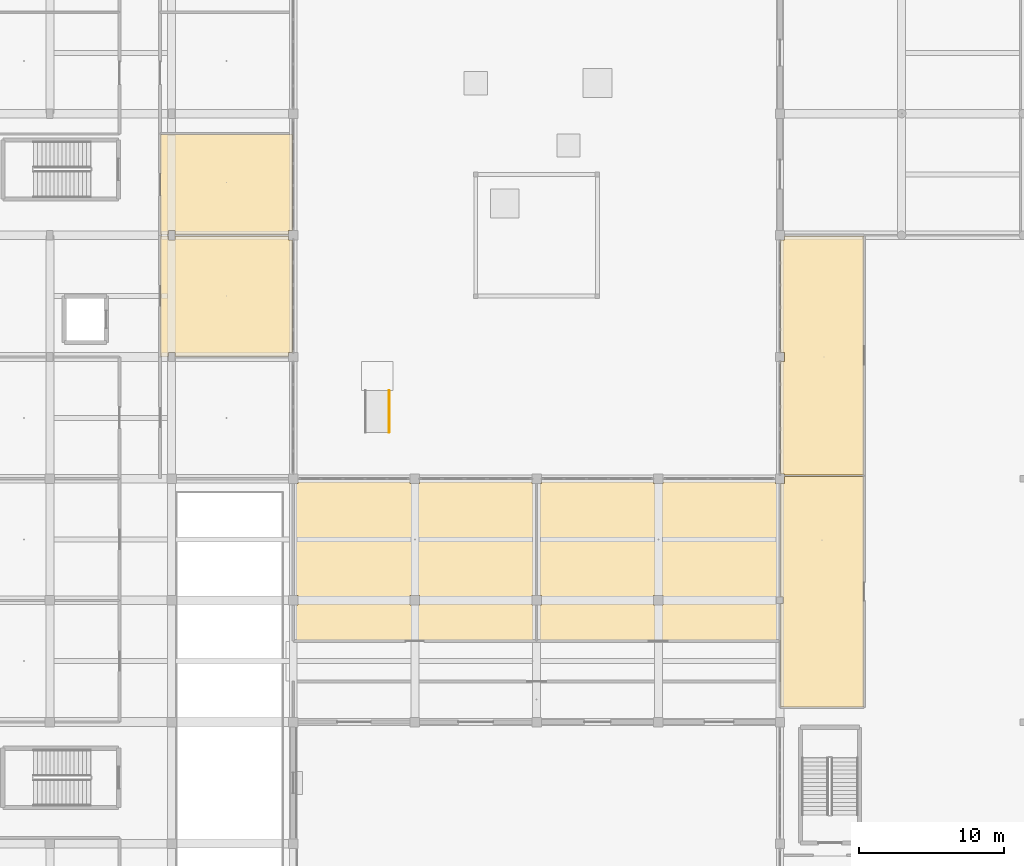
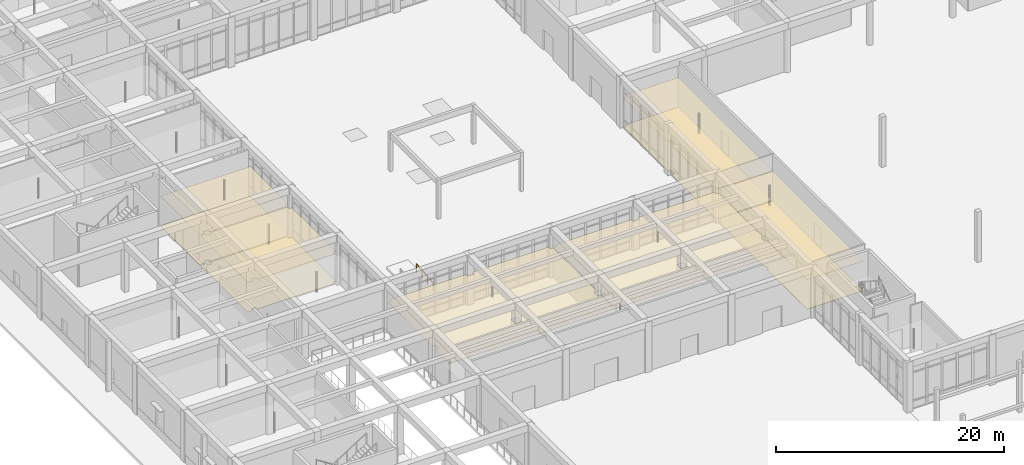
# One storey, part 143 of 167: 10 coverings, 1 railing.
"""IFC4 building model written with IfcOpenShell, lengths in metres."""

from ifc_helpers import new_model, si_unit, direction, frame, origin, origin_2d, place, context, subcontext, project, spatial, polyline, circle, outline, extrude, material, layer, layer_set, type_object, element, save


model = new_model("IFC4")

# Units and contexts
model_context = context("Model", 3, precision=1e-05, world=origin(), true_north=direction((0.0, 1.0)))
body_context = subcontext(model_context, "Body", "Model", "MODEL_VIEW")
ifc_project = project(units=[si_unit("LENGTHUNIT", "METRE"), si_unit("AREAUNIT", "SQUARE_METRE"), si_unit("VOLUMEUNIT", "CUBIC_METRE"), si_unit("PLANEANGLEUNIT", "RADIAN"), si_unit("MASSUNIT", "GRAM", prefix="KILO")], contexts=[model_context])

# Site, building, storey
site_placement = place(None, origin())
site = spatial("IfcSite", under=ifc_project, at=site_placement, CompositionType="ELEMENT")
building_placement = place(site_placement, origin())
building = spatial("IfcBuilding", under=site, at=building_placement, Name="Varncliffe General Hospital", CompositionType="ELEMENT")
storey_placement = place(building_placement, origin())
storey = spatial("IfcBuildingStorey", under=building, at=storey_placement, Name="L00", CompositionType="ELEMENT", Elevation=0.0)

# Coverings
ifc_material_1 = material(Name="Hygienic antimicrobial acoustic suspended ceiling tile", Category="gypsum")
ifc_layer_1 = layer(ifc_material_1, 0.02490234375)
ifc_layer_set_1 = layer_set([ifc_layer_1], Name="Hygienic antimicrobial acoustic suspended ceiling tile")
covering_type_1 = type_object("IfcCoveringType", Name="Antimicrobial Acoustic Suspended Ceiling CLG44", PredefinedType="CEILING", material=ifc_layer_set_1)
covering_1_placement = place(storey_placement, frame((0.0, 0.0, 3.175048828125)))
element("IfcCovering", 1, at=covering_1_placement, inside=storey, type_object=covering_type_1, Name="L00 Patient Admissions and Registration Suite Suspended Ceiling", PredefinedType="CEILING", context=body_context, shape_type="SweptSolid", body=[
    extrude(outline(polyline([(64.56005859375, 40.9599609375), (64.56005859375, 25.0400390625), (58.840087890625, 25.0400390625), (58.840087890625, 32.175048828125), (59.02490234375, 32.175048828125), (59.02490234375, 32.625), (58.840087890625, 32.625), (58.840087890625, 40.47509765625), (59.125, 40.47509765625), (59.125, 40.9599609375), (64.56005859375, 40.9599609375)])), origin(), (0.0, 0.0, 1.0), 0.02490234375),
])
covering_2_placement = place(storey_placement, frame((0.0, 0.0, 3.175048828125)))
element("IfcCovering", 2, at=covering_2_placement, inside=storey, type_object=covering_type_1, Name="L00 Outpatient Retail Pharmacy Suspended Ceiling", PredefinedType="CEILING", context=body_context, shape_type="SweptSolid", body=[
    extrude(outline(polyline([(64.56005859375, 41.0400390625), (59.125, 41.0400390625), (59.125, 41.125), (58.840087890625, 41.125), (58.840087890625, 48.875), (59.125, 48.875), (59.125, 49.52490234375), (58.840087890625, 49.52490234375), (58.840087890625, 57.27490234375), (59.125, 57.27490234375), (59.125, 57.56005859375), (64.56005859375, 57.56005859375), (64.56005859375, 41.0400390625)])), origin(), (0.0, 0.0, 1.0), 0.02490234375),
])
covering_3_placement = place(storey_placement, frame((0.0, 0.0, 3.175048828125)))
element("IfcCovering", 3, at=covering_3_placement, inside=storey, type_object=covering_type_1, Name="L00 Acute Triage and Rapid-Assessment Suite Suspended Ceiling", PredefinedType="CEILING", context=body_context, shape_type="SweptSolid", body=[
    extrude(outline(polyline([(25.239990234375, 32.074951171875), (25.52490234375, 32.074951171875), (25.52490234375, 32.72509765625), (25.239990234375, 32.72509765625), (25.239990234375, 40.47509765625), (25.52490234375, 40.47509765625), (25.52490234375, 40.760009765625), (33.27490234375, 40.760009765625), (33.27490234375, 40.47509765625), (33.925048828125, 40.47509765625), (33.925048828125, 40.760009765625), (41.675048828125, 40.760009765625), (41.675048828125, 40.47509765625), (41.9599609375, 40.47509765625), (41.9599609375, 32.72509765625), (41.675048828125, 32.72509765625), (41.675048828125, 32.074951171875), (41.9599609375, 32.074951171875), (41.9599609375, 29.639892578125), (25.239990234375, 29.639892578125), (25.239990234375, 32.074951171875)]), holes=[polyline([(33.925048828125, 32.074951171875), (33.925048828125, 32.72509765625), (33.27490234375, 32.72509765625), (33.27490234375, 32.074951171875), (33.925048828125, 32.074951171875)])]), origin(), (0.0, 0.0, 1.0), 0.02490234375),
])
covering_4_placement = place(storey_placement, frame((0.0, 0.0, 3.175048828125)))
element("IfcCovering", 4, at=covering_4_placement, inside=storey, type_object=covering_type_1, Name="L00 Emergency Acute Treatment Cubicles Suspended Ceiling", PredefinedType="CEILING", context=body_context, shape_type="SweptSolid", body=[
    extrude(outline(polyline([(42.0400390625, 32.074951171875), (42.324951171875, 32.074951171875), (42.324951171875, 32.72509765625), (42.0400390625, 32.72509765625), (42.0400390625, 40.47509765625), (42.324951171875, 40.47509765625), (42.324951171875, 40.760009765625), (50.074951171875, 40.760009765625), (50.074951171875, 40.47509765625), (50.72509765625, 40.47509765625), (50.72509765625, 40.760009765625), (58.47509765625, 40.760009765625), (58.47509765625, 40.47509765625), (58.760009765625, 40.47509765625), (58.760009765625, 32.625), (58.574951171875, 32.625), (58.574951171875, 32.175048828125), (58.760009765625, 32.175048828125), (58.760009765625, 29.639892578125), (42.0400390625, 29.639892578125), (42.0400390625, 32.074951171875)]), holes=[polyline([(50.72509765625, 32.074951171875), (50.72509765625, 32.72509765625), (50.074951171875, 32.72509765625), (50.074951171875, 32.074951171875), (50.72509765625, 32.074951171875)])]), origin(), (0.0, 0.0, 1.0), 0.02490234375),
])
covering_5_placement = place(storey_placement, frame((0.0, 0.0, 3.175048828125)))
element("IfcCovering", 5, at=covering_5_placement, inside=storey, type_object=covering_type_1, Name="L00 Dual-Source CT Radiology Room 56 Suspended Ceiling", PredefinedType="CEILING", context=body_context, shape_type="SweptSolid", body=[
    extrude(outline(polyline([(16.574951171875, 57.27490234375), (17.02490234375, 57.27490234375), (17.02490234375, 57.56005859375), (24.875, 57.56005859375), (24.875, 57.27490234375), (25.159912109375, 57.27490234375), (25.159912109375, 49.52490234375), (24.875, 49.52490234375), (24.875, 49.239990234375), (17.02490234375, 49.239990234375), (17.02490234375, 49.52490234375), (16.574951171875, 49.52490234375), (16.574951171875, 49.239990234375), (16.0400390625, 49.239990234375), (16.0400390625, 57.56005859375), (16.574951171875, 57.56005859375), (16.574951171875, 57.27490234375)])), origin(), (0.0, 0.0, 1.0), 0.02490234375),
])
covering_6_placement = place(storey_placement, frame((0.0, 0.0, 3.175048828125)))
element("IfcCovering", 6, at=covering_6_placement, inside=storey, type_object=covering_type_1, Name="L00 Nuclear Medicine and Ultrasound Suite 57 Suspended Ceiling", PredefinedType="CEILING", context=body_context, shape_type="SweptSolid", body=[
    extrude(outline(polyline([(16.0400390625, 64.56005859375), (25.159912109375, 64.56005859375), (25.159912109375, 57.925048828125), (24.875, 57.925048828125), (24.875, 57.639892578125), (17.02490234375, 57.639892578125), (17.02490234375, 57.925048828125), (16.574951171875, 57.925048828125), (16.574951171875, 57.639892578125), (16.0400390625, 57.639892578125), (16.0400390625, 64.56005859375)])), origin(), (0.0, 0.0, 1.0), 0.02490234375),
])
ifc_material_2 = material(Name="Seamless welded hospital sheet linoleum and terrazzo flooring", Category="linoleum")
ifc_layer_2 = layer(ifc_material_2, 0.011962890625)
ifc_layer_set_2 = layer_set([ifc_layer_2], Name="Seamless welded hospital sheet linoleum and terrazzo flooring")
covering_type_2 = type_object("IfcCoveringType", Name="Seamless Hospital Linoleum Flooring FLR19", PredefinedType="FLOORING", material=ifc_layer_set_2)
covering_7_placement = place(storey_placement, origin())
element("IfcCovering", 7, at=covering_7_placement, inside=storey, type_object=covering_type_2, Name="L00 Patient Admissions and Registration Suite Seamless Flooring", PredefinedType="FLOORING", context=body_context, shape_type="SweptSolid", body=[
    extrude(outline(polyline([(64.56005859375, 40.9599609375), (64.56005859375, 25.0400390625), (58.840087890625, 25.0400390625), (58.840087890625, 32.175048828125), (59.02490234375, 32.175048828125), (59.02490234375, 32.625), (58.840087890625, 32.625), (58.840087890625, 40.47509765625), (59.125, 40.47509765625), (59.125, 40.9599609375), (64.56005859375, 40.9599609375)])), origin(), (0.0, 0.0, 1.0), 0.011962890625),
])
covering_8_placement = place(storey_placement, origin())
element("IfcCovering", 8, at=covering_8_placement, inside=storey, type_object=covering_type_2, Name="L00 Outpatient Retail Pharmacy Seamless Flooring", PredefinedType="FLOORING", context=body_context, shape_type="SweptSolid", body=[
    extrude(outline(polyline([(64.56005859375, 41.0400390625), (59.125, 41.0400390625), (59.125, 41.125), (58.840087890625, 41.125), (58.840087890625, 48.875), (59.125, 48.875), (59.125, 49.52490234375), (58.840087890625, 49.52490234375), (58.840087890625, 57.27490234375), (59.125, 57.27490234375), (59.125, 57.56005859375), (64.56005859375, 57.56005859375), (64.56005859375, 41.0400390625)])), origin(), (0.0, 0.0, 1.0), 0.011962890625),
])
covering_9_placement = place(storey_placement, origin())
element("IfcCovering", 9, at=covering_9_placement, inside=storey, type_object=covering_type_2, Name="L00 Dual-Source CT Radiology Room 56 Seamless Flooring", PredefinedType="FLOORING", context=body_context, shape_type="SweptSolid", body=[
    extrude(outline(polyline([(16.574951171875, 57.27490234375), (17.02490234375, 57.27490234375), (17.02490234375, 57.56005859375), (24.875, 57.56005859375), (24.875, 57.27490234375), (25.159912109375, 57.27490234375), (25.159912109375, 49.52490234375), (24.875, 49.52490234375), (24.875, 49.239990234375), (17.02490234375, 49.239990234375), (17.02490234375, 49.52490234375), (16.574951171875, 49.52490234375), (16.574951171875, 49.239990234375), (16.0400390625, 49.239990234375), (16.0400390625, 57.56005859375), (16.574951171875, 57.56005859375), (16.574951171875, 57.27490234375)])), origin(), (0.0, 0.0, 1.0), 0.011962890625),
])
covering_10_placement = place(storey_placement, origin())
element("IfcCovering", 10, at=covering_10_placement, inside=storey, type_object=covering_type_2, Name="L00 Nuclear Medicine and Ultrasound Suite 57 Seamless Flooring", PredefinedType="FLOORING", context=body_context, shape_type="SweptSolid", body=[
    extrude(outline(polyline([(16.0400390625, 64.56005859375), (25.159912109375, 64.56005859375), (25.159912109375, 57.925048828125), (24.875, 57.925048828125), (24.875, 57.639892578125), (17.02490234375, 57.639892578125), (17.02490234375, 57.925048828125), (16.574951171875, 57.925048828125), (16.574951171875, 57.639892578125), (16.0400390625, 57.639892578125), (16.0400390625, 64.56005859375)])), origin(), (0.0, 0.0, 1.0), 0.011962890625),
])

# Railing
ifc_material_3 = material(Name="Powder-coated hospital steel guardrail and handrail", Category="steel")
railing_type = type_object("IfcRailingType", Name="Stair and Ramp Handrail HR46", PredefinedType="HANDRAIL", material=ifc_material_3)
railing_placement = place(storey_placement, frame((31.820068359375, 44.0, 0.0)))
element("IfcRailing", 11, at=railing_placement, inside=storey, type_object=railing_type, Name="West Cloister Garden Barrier-Free Ramp Handrail R", PredefinedType="HANDRAIL", context=body_context, shape_type="SweptSolid", body=[
    extrude(circle(Radius=0.02392578125, at=origin_2d()), frame((0.0, 0.0, 0.8759765625), z_axis=(0.0, 0.996545758245, 0.083045479854), x_axis=(-1.0, 0.0, 0.0)), (0.0, 0.0, 1.0), 2.889892578125),
    extrude(circle(Radius=0.02099609375, at=origin_2d()), origin(), (0.0, 0.0, 1.0), 0.851806640625),
    extrude(circle(Radius=0.02099609375, at=origin_2d()), frame((0.0, 0.9599609375, 0.080078125)), (0.0, 0.0, 1.0), 0.851806640625),
    extrude(circle(Radius=0.02099609375, at=origin_2d()), frame((0.0, 1.919921875, 0.159912109375)), (0.0, 0.0, 1.0), 0.851806640625),
    extrude(circle(Radius=0.02099609375, at=origin_2d()), frame((0.0, 2.8798828125, 0.239990234375)), (0.0, 0.0, 1.0), 0.851806640625),
])

save(model, "model.ifc")
